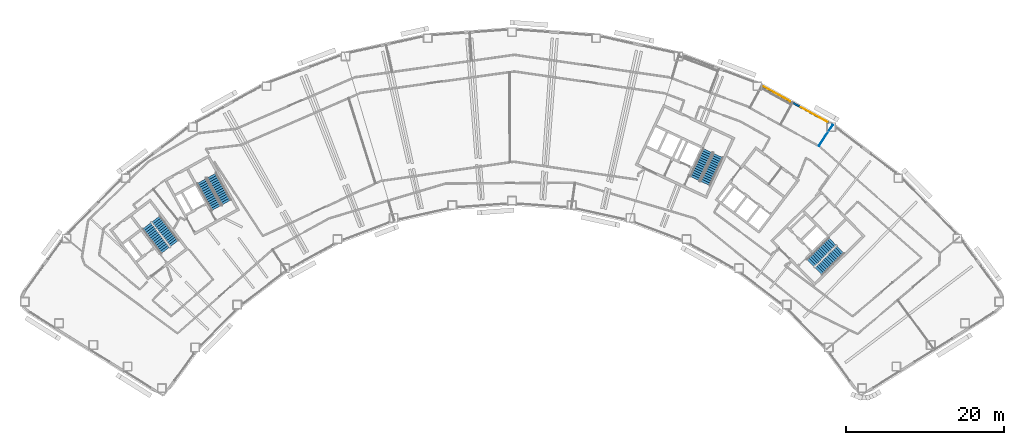
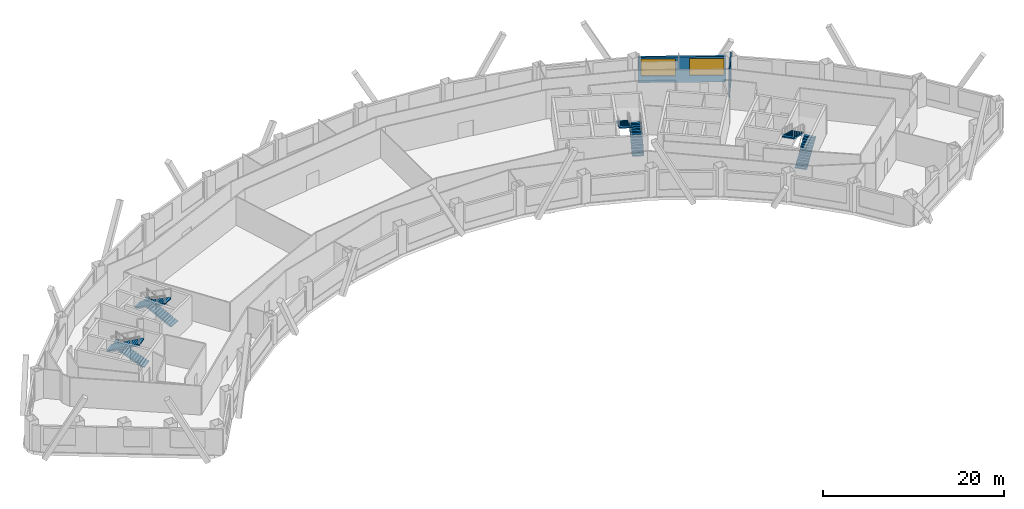
# One storey, part 9 of 11: 8 stair flights, 2 walls, 2 windows, 2 openings, 4 elements without a shape of their own.
"""IFC4 building model written with IfcOpenShell, lengths in metres."""

from ifc_helpers import new_model, si_unit, direction, frame, frame_2d, origin, place, context, subcontext, project, spatial, polyline, rectangle, outline, extrude, material, layer, layer_set, type_object, element, fill, aggregate, save


model = new_model("IFC4")

# Units and contexts
model_context = context("Model", 3, precision=1e-05, world=origin(), true_north=direction((0.0, 1.0)))
body_context = subcontext(model_context, "Body", "Model", "MODEL_VIEW")
ifc_project = project(units=[si_unit("LENGTHUNIT", "METRE"), si_unit("AREAUNIT", "SQUARE_METRE"), si_unit("VOLUMEUNIT", "CUBIC_METRE"), si_unit("PLANEANGLEUNIT", "RADIAN"), si_unit("MASSUNIT", "GRAM", prefix="KILO")], contexts=[model_context])

# Site, building, storey
site_placement = place(None, origin())
site = spatial("IfcSite", under=ifc_project, at=site_placement, CompositionType="ELEMENT")
building_placement = place(site_placement, origin())
building = spatial("IfcBuilding", under=site, at=building_placement, Name="Tuul Gate Civic Tower", CompositionType="ELEMENT")
storey_placement = place(building_placement, frame((0.0, 0.0, 99.300048828125)))
storey = spatial("IfcBuildingStorey", under=building, at=storey_placement, Name="Level 22", CompositionType="ELEMENT", Elevation=99.300048828125)

# Wall, openings, windows
ifc_material_1 = material(Name="Precast concrete C40/50", Category="concrete")
ifc_layer_1 = layer(ifc_material_1, 0.25)
ifc_layer_set_1 = layer_set([ifc_layer_1], Name="Precast concrete C40/50")
wall_type_1 = type_object("IfcWallType", Name="External wall", PredefinedType="STANDARD", material=ifc_layer_set_1)
wall_1_placement = place(storey_placement, frame((49.909912109375, 2.214111328125, 0.0), z_axis=(0.0, 0.0, 1.0), x_axis=(-0.874636658458, 0.484779037997, 0.0)))
wall_1 = element("IfcWall", 1, at=wall_1_placement, inside=storey, type_object=wall_type_1, Name="External wall", PredefinedType="STANDARD", context=body_context, shape_type="SweptSolid", body=[
    extrude(rectangle(XDim=9.696533203125, YDim=0.25, at=frame_2d((4.84814453125, 0.0))), origin(), (0.0, 0.0, 1.0), 3.449951171875),
])
opening_1_placement = place(wall_1_placement, frame((0.180419921875, 0.0, 0.89990234375)))
opening_1 = element("IfcOpeningElement", 2, at=opening_1_placement, cuts=wall_1, Name="Opening W22", PredefinedType="OPENING", context=body_context, shape_type="SweptSolid", body=[
    extrude(rectangle(XDim=3.85009765625, YDim=2.300048828125, at=frame_2d((1.925048828125, 1.14990234375))), frame((0.0, 0.135009765625, 0.0), z_axis=(0.0, -1.0, 0.0), x_axis=(1.0, 0.0, 0.0)), (0.0, 0.0, 1.0), 0.27001953125),
])
opening_2_placement = place(wall_1_placement, frame((5.5517578125, 0.0, 0.89990234375)))
opening_2 = element("IfcOpeningElement", 3, at=opening_2_placement, cuts=wall_1, Name="Opening W22", PredefinedType="OPENING", context=body_context, shape_type="SweptSolid", body=[
    extrude(rectangle(XDim=3.85009765625, YDim=2.300048828125, at=frame_2d((1.925048828125, 1.14990234375))), frame((0.0, 0.135009765625, 0.0), z_axis=(0.0, -1.0, 0.0), x_axis=(1.0, 0.0, 0.0)), (0.0, 0.0, 1.0), 0.27001953125),
])
ifc_material_2 = material(Name="Glass", Category="glass")
window_type = type_object("IfcWindowType", Name="Window W22 3850 x 2300", PartitioningType="SINGLE_PANEL", PredefinedType="WINDOW", material=ifc_material_2)
window_1_placement = place(opening_1_placement, origin())
window_1 = element("IfcWindow", 4, at=window_1_placement, inside=storey, type_object=window_type, Name="Window", OverallHeight=2.300048828125, OverallWidth=3.85009765625, PartitioningType="SINGLE_PANEL", PredefinedType="WINDOW", context=body_context, shape_type="SweptSolid", body=[
    extrude(rectangle(XDim=3.85009765625, YDim=2.300048828125, at=frame_2d((1.925048828125, 1.14990234375))), frame((0.0, 0.030029296875, 0.0), z_axis=(0.0, -1.0, 0.0), x_axis=(1.0, 0.0, 0.0)), (0.0, 0.0, 1.0), 0.06005859375),
])
fill(opening_1, window_1)
window_2_placement = place(opening_2_placement, origin())
window_2 = element("IfcWindow", 5, at=window_2_placement, inside=storey, type_object=window_type, Name="Window", OverallHeight=2.300048828125, OverallWidth=3.85009765625, PartitioningType="SINGLE_PANEL", PredefinedType="WINDOW", context=body_context, shape_type="SweptSolid", body=[
    extrude(rectangle(XDim=3.85009765625, YDim=2.300048828125, at=frame_2d((1.925048828125, 1.14990234375))), frame((0.0, 0.030029296875, 0.0), z_axis=(0.0, -1.0, 0.0), x_axis=(1.0, 0.0, 0.0)), (0.0, 0.0, 1.0), 0.06005859375),
])
fill(opening_2, window_2)

# Wall
ifc_material_3 = material(Name="Gypsum board partition")
ifc_layer_2 = layer(ifc_material_3, 0.10009765625)
ifc_layer_set_2 = layer_set([ifc_layer_2], Name="Gypsum board partition")
wall_type_2 = type_object("IfcWallType", Name="Partition P100", PredefinedType="PARTITIONING", material=ifc_layer_set_2)
wall_2_placement = place(storey_placement, frame((48.660888671875, -0.7412109375, 0.0), z_axis=(0.0, 0.0, 1.0), x_axis=(0.546725662332, 0.837311799838, 0.0)))
element("IfcWall", 6, at=wall_2_placement, inside=storey, type_object=wall_type_2, Name="p001", PredefinedType="PARTITIONING", context=body_context, shape_type="SweptSolid", body=[
    extrude(rectangle(XDim=3.20361328125, YDim=0.10009765625, at=frame_2d((1.601806640625, 0.0))), origin(), (0.0, 0.0, 1.0), 3.89990234375),
])

# Stair, stair flights
ifc_material_4 = material(Name="Concrete C40/50", Category="concrete")
stair_type = type_object("IfcStairType", Name="Exit stair", PredefinedType="HALF_TURN_STAIR", material=ifc_material_4)
stair_1_placement = place(storey_placement, origin())
stair_1 = element("IfcStair", 7, at=stair_1_placement, inside=storey, type_object=stair_type, Name="Level 22 ST-1", PredefinedType="HALF_TURN_STAIR")
ifc_material_5 = material(Name="Concrete C40/50", Category="concrete")
stair_flight_type = type_object("IfcStairFlightType", Name="Exit stair flight", PredefinedType="STRAIGHT", material=ifc_material_5)
stair_flight_1_placement = place(storey_placement, frame((-32.875244140625, -13.066650390625, 0.0), z_axis=(0.0, 0.0, 1.0), x_axis=(-0.605764474941, 0.795644016442, 0.0)))
stair_flight_1 = element("IfcStairFlight", 8, at=stair_flight_1_placement, type_object=stair_flight_type, Name="ST-1 flight 1", NumberOfRisers=14, NumberOfTreads=13, PredefinedType="STRAIGHT", RiserHeight=0.15, TreadLength=0.3, context=body_context, shape_type="SweptSolid", body=[
    extrude(outline(polyline([(0.0, 0.0), (0.0, 0.14990234375), (0.300048828125, 0.14990234375), (0.300048828125, 0.300048828125), (0.60009765625, 0.300048828125), (0.60009765625, 0.449951171875), (0.89990234375, 0.449951171875), (0.89990234375, 0.60009765625), (1.199951171875, 0.60009765625), (1.199951171875, 0.75), (1.5, 0.75), (1.5, 0.89990234375), (1.800048828125, 0.89990234375), (1.800048828125, 1.050048828125), (2.10009765625, 1.050048828125), (2.10009765625, 1.199951171875), (2.39990234375, 1.199951171875), (2.39990234375, 1.35009765625), (2.699951171875, 1.35009765625), (2.699951171875, 1.5), (3.0, 1.5), (3.0, 1.64990234375), (3.300048828125, 1.64990234375), (3.300048828125, 1.800048828125), (3.60009765625, 1.800048828125), (3.60009765625, 1.949951171875), (3.89990234375, 1.949951171875), (3.89990234375, 2.10009765625), (3.89990234375, 1.782470703125), (0.335205078125, 0.0), (0.0, 0.0)])), frame((0.0, 0.675048828125, 0.0), z_axis=(0.0, -1.0, 0.0), x_axis=(1.0, 0.0, 0.0)), (0.0, 0.0, 1.0), 1.35009765625),
])
stair_flight_2_placement = place(storey_placement, frame((-36.391357421875, -10.842041015625, 2.099853515625), z_axis=(0.0, 0.0, 1.0), x_axis=(0.605764474941, -0.795644016442, 0.0)))
stair_flight_2 = element("IfcStairFlight", 9, at=stair_flight_2_placement, type_object=stair_flight_type, Name="ST-1 flight 2", NumberOfRisers=14, NumberOfTreads=13, PredefinedType="STRAIGHT", RiserHeight=0.15, TreadLength=0.3, context=body_context, shape_type="SweptSolid", body=[
    extrude(outline(polyline([(0.0, 0.0), (0.0, 0.14990234375), (0.300048828125, 0.14990234375), (0.300048828125, 0.300048828125), (0.60009765625, 0.300048828125), (0.60009765625, 0.449951171875), (0.89990234375, 0.449951171875), (0.89990234375, 0.60009765625), (1.199951171875, 0.60009765625), (1.199951171875, 0.75), (1.5, 0.75), (1.5, 0.89990234375), (1.800048828125, 0.89990234375), (1.800048828125, 1.050048828125), (2.10009765625, 1.050048828125), (2.10009765625, 1.199951171875), (2.39990234375, 1.199951171875), (2.39990234375, 1.35009765625), (2.699951171875, 1.35009765625), (2.699951171875, 1.5), (3.0, 1.5), (3.0, 1.64990234375), (3.300048828125, 1.64990234375), (3.300048828125, 1.800048828125), (3.60009765625, 1.800048828125), (3.60009765625, 1.949951171875), (3.89990234375, 1.949951171875), (3.89990234375, 2.10009765625), (3.89990234375, 1.782470703125), (0.335205078125, 0.0), (0.0, 0.0)])), frame((0.0, 0.675048828125, 0.0), z_axis=(0.0, -1.0, 0.0), x_axis=(1.0, 0.0, 0.0)), (0.0, 0.0, 1.0), 1.35009765625),
])
aggregate(stair_1, [stair_flight_1, stair_flight_2])

stair_2_placement = place(storey_placement, origin())
stair_2 = element("IfcStair", 10, at=stair_2_placement, inside=storey, type_object=stair_type, Name="Level 22 ST-2", PredefinedType="HALF_TURN_STAIR")
stair_flight_3_placement = place(storey_placement, frame((-26.29150390625, -7.87646484375, 0.0), z_axis=(0.0, 0.0, 1.0), x_axis=(-0.484761763766, 0.874646232708, 0.0)))
stair_flight_3 = element("IfcStairFlight", 11, at=stair_flight_3_placement, type_object=stair_flight_type, Name="ST-2 flight 1", NumberOfRisers=14, NumberOfTreads=13, PredefinedType="STRAIGHT", RiserHeight=0.15, TreadLength=0.3, context=body_context, shape_type="SweptSolid", body=[
    extrude(outline(polyline([(0.0, 0.0), (0.0, 0.14990234375), (0.300048828125, 0.14990234375), (0.300048828125, 0.300048828125), (0.60009765625, 0.300048828125), (0.60009765625, 0.449951171875), (0.89990234375, 0.449951171875), (0.89990234375, 0.60009765625), (1.199951171875, 0.60009765625), (1.199951171875, 0.75), (1.5, 0.75), (1.5, 0.89990234375), (1.800048828125, 0.89990234375), (1.800048828125, 1.050048828125), (2.10009765625, 1.050048828125), (2.10009765625, 1.199951171875), (2.39990234375, 1.199951171875), (2.39990234375, 1.35009765625), (2.699951171875, 1.35009765625), (2.699951171875, 1.5), (3.0, 1.5), (3.0, 1.64990234375), (3.300048828125, 1.64990234375), (3.300048828125, 1.800048828125), (3.60009765625, 1.800048828125), (3.60009765625, 1.949951171875), (3.89990234375, 1.949951171875), (3.89990234375, 2.10009765625), (3.89990234375, 1.782470703125), (0.335205078125, 0.0), (0.0, 0.0)])), frame((0.0, 0.675048828125, 0.0), z_axis=(0.0, -1.0, 0.0), x_axis=(1.0, 0.0, 0.0)), (0.0, 0.0, 1.0), 1.35009765625),
])
stair_flight_4_placement = place(storey_placement, frame((-29.450439453125, -5.168212890625, 2.099853515625), z_axis=(0.0, 0.0, 1.0), x_axis=(0.484761763766, -0.874646232708, 0.0)))
stair_flight_4 = element("IfcStairFlight", 12, at=stair_flight_4_placement, type_object=stair_flight_type, Name="ST-2 flight 2", NumberOfRisers=14, NumberOfTreads=13, PredefinedType="STRAIGHT", RiserHeight=0.15, TreadLength=0.3, context=body_context, shape_type="SweptSolid", body=[
    extrude(outline(polyline([(0.0, 0.0), (0.0, 0.14990234375), (0.300048828125, 0.14990234375), (0.300048828125, 0.300048828125), (0.60009765625, 0.300048828125), (0.60009765625, 0.449951171875), (0.89990234375, 0.449951171875), (0.89990234375, 0.60009765625), (1.199951171875, 0.60009765625), (1.199951171875, 0.75), (1.5, 0.75), (1.5, 0.89990234375), (1.800048828125, 0.89990234375), (1.800048828125, 1.050048828125), (2.10009765625, 1.050048828125), (2.10009765625, 1.199951171875), (2.39990234375, 1.199951171875), (2.39990234375, 1.35009765625), (2.699951171875, 1.35009765625), (2.699951171875, 1.5), (3.0, 1.5), (3.0, 1.64990234375), (3.300048828125, 1.64990234375), (3.300048828125, 1.800048828125), (3.60009765625, 1.800048828125), (3.60009765625, 1.949951171875), (3.89990234375, 1.949951171875), (3.89990234375, 2.10009765625), (3.89990234375, 1.782470703125), (0.335205078125, 0.0), (0.0, 0.0)])), frame((0.0, 0.675048828125, 0.0), z_axis=(0.0, -1.0, 0.0), x_axis=(1.0, 0.0, 0.0)), (0.0, 0.0, 1.0), 1.35009765625),
])
aggregate(stair_2, [stair_flight_3, stair_flight_4])

stair_3_placement = place(storey_placement, origin())
stair_3 = element("IfcStair", 13, at=stair_3_placement, inside=storey, type_object=stair_type, Name="Level 22 ST-3", PredefinedType="HALF_TURN_STAIR")
stair_flight_5_placement = place(storey_placement, frame((48.61376953125, -16.581787109375, 0.0), z_axis=(0.0, 0.0, 1.0), x_axis=(0.714127290059, 0.700015866672, 0.0)))
stair_flight_5 = element("IfcStairFlight", 14, at=stair_flight_5_placement, type_object=stair_flight_type, Name="ST-3 flight 1", NumberOfRisers=14, NumberOfTreads=13, PredefinedType="STRAIGHT", RiserHeight=0.15, TreadLength=0.3, context=body_context, shape_type="SweptSolid", body=[
    extrude(outline(polyline([(0.0, 0.0), (0.0, 0.14990234375), (0.300048828125, 0.14990234375), (0.300048828125, 0.300048828125), (0.60009765625, 0.300048828125), (0.60009765625, 0.449951171875), (0.89990234375, 0.449951171875), (0.89990234375, 0.60009765625), (1.199951171875, 0.60009765625), (1.199951171875, 0.75), (1.5, 0.75), (1.5, 0.89990234375), (1.800048828125, 0.89990234375), (1.800048828125, 1.050048828125), (2.10009765625, 1.050048828125), (2.10009765625, 1.199951171875), (2.39990234375, 1.199951171875), (2.39990234375, 1.35009765625), (2.699951171875, 1.35009765625), (2.699951171875, 1.5), (3.0, 1.5), (3.0, 1.64990234375), (3.300048828125, 1.64990234375), (3.300048828125, 1.800048828125), (3.60009765625, 1.800048828125), (3.60009765625, 1.949951171875), (3.89990234375, 1.949951171875), (3.89990234375, 2.10009765625), (3.89990234375, 1.782470703125), (0.335205078125, 0.0), (0.0, 0.0)])), frame((0.0, 0.675048828125, 0.0), z_axis=(0.0, -1.0, 0.0), x_axis=(1.0, 0.0, 0.0)), (0.0, 0.0, 1.0), 1.35009765625),
])
stair_flight_6_placement = place(storey_placement, frame((50.3837890625, -12.816162109375, 2.099853515625), z_axis=(0.0, 0.0, 1.0), x_axis=(-0.714127290059, -0.700015866672, 0.0)))
stair_flight_6 = element("IfcStairFlight", 15, at=stair_flight_6_placement, type_object=stair_flight_type, Name="ST-3 flight 2", NumberOfRisers=14, NumberOfTreads=13, PredefinedType="STRAIGHT", RiserHeight=0.15, TreadLength=0.3, context=body_context, shape_type="SweptSolid", body=[
    extrude(outline(polyline([(0.0, 0.0), (0.0, 0.14990234375), (0.300048828125, 0.14990234375), (0.300048828125, 0.300048828125), (0.60009765625, 0.300048828125), (0.60009765625, 0.449951171875), (0.89990234375, 0.449951171875), (0.89990234375, 0.60009765625), (1.199951171875, 0.60009765625), (1.199951171875, 0.75), (1.5, 0.75), (1.5, 0.89990234375), (1.800048828125, 0.89990234375), (1.800048828125, 1.050048828125), (2.10009765625, 1.050048828125), (2.10009765625, 1.199951171875), (2.39990234375, 1.199951171875), (2.39990234375, 1.35009765625), (2.699951171875, 1.35009765625), (2.699951171875, 1.5), (3.0, 1.5), (3.0, 1.64990234375), (3.300048828125, 1.64990234375), (3.300048828125, 1.800048828125), (3.60009765625, 1.800048828125), (3.60009765625, 1.949951171875), (3.89990234375, 1.949951171875), (3.89990234375, 2.10009765625), (3.89990234375, 1.782470703125), (0.335205078125, 0.0), (0.0, 0.0)])), frame((0.0, 0.675048828125, 0.0), z_axis=(0.0, -1.0, 0.0), x_axis=(1.0, 0.0, 0.0)), (0.0, 0.0, 1.0), 1.35009765625),
])
aggregate(stair_3, [stair_flight_5, stair_flight_6])

stair_4_placement = place(storey_placement, origin())
stair_4 = element("IfcStair", 16, at=stair_4_placement, inside=storey, type_object=stair_type, Name="Level 22 ST-4", PredefinedType="HALF_TURN_STAIR")
stair_flight_7_placement = place(storey_placement, frame((34.278564453125, -5.478515625, 0.0), z_axis=(0.0, 0.0, 1.0), x_axis=(0.422576295988, 0.906327354806, 0.0)))
stair_flight_7 = element("IfcStairFlight", 17, at=stair_flight_7_placement, type_object=stair_flight_type, Name="ST-4 flight 1", NumberOfRisers=14, NumberOfTreads=13, PredefinedType="STRAIGHT", RiserHeight=0.15, TreadLength=0.3, context=body_context, shape_type="SweptSolid", body=[
    extrude(outline(polyline([(0.0, 0.0), (0.0, 0.14990234375), (0.300048828125, 0.14990234375), (0.300048828125, 0.300048828125), (0.60009765625, 0.300048828125), (0.60009765625, 0.449951171875), (0.89990234375, 0.449951171875), (0.89990234375, 0.60009765625), (1.199951171875, 0.60009765625), (1.199951171875, 0.75), (1.5, 0.75), (1.5, 0.89990234375), (1.800048828125, 0.89990234375), (1.800048828125, 1.050048828125), (2.10009765625, 1.050048828125), (2.10009765625, 1.199951171875), (2.39990234375, 1.199951171875), (2.39990234375, 1.35009765625), (2.699951171875, 1.35009765625), (2.699951171875, 1.5), (3.0, 1.5), (3.0, 1.64990234375), (3.300048828125, 1.64990234375), (3.300048828125, 1.800048828125), (3.60009765625, 1.800048828125), (3.60009765625, 1.949951171875), (3.89990234375, 1.949951171875), (3.89990234375, 2.10009765625), (3.89990234375, 1.782470703125), (0.335205078125, 0.0), (0.0, 0.0)])), frame((0.0, 0.675048828125, 0.0), z_axis=(0.0, -1.0, 0.0), x_axis=(1.0, 0.0, 0.0)), (0.0, 0.0, 1.0), 1.35009765625),
])
stair_flight_8_placement = place(storey_placement, frame((34.612548828125, -1.3310546875, 2.099853515625), z_axis=(0.0, 0.0, 1.0), x_axis=(-0.422576295988, -0.906327354806, 0.0)))
stair_flight_8 = element("IfcStairFlight", 18, at=stair_flight_8_placement, type_object=stair_flight_type, Name="ST-4 flight 2", NumberOfRisers=14, NumberOfTreads=13, PredefinedType="STRAIGHT", RiserHeight=0.15, TreadLength=0.3, context=body_context, shape_type="SweptSolid", body=[
    extrude(outline(polyline([(0.0, 0.0), (0.0, 0.14990234375), (0.300048828125, 0.14990234375), (0.300048828125, 0.300048828125), (0.60009765625, 0.300048828125), (0.60009765625, 0.449951171875), (0.89990234375, 0.449951171875), (0.89990234375, 0.60009765625), (1.199951171875, 0.60009765625), (1.199951171875, 0.75), (1.5, 0.75), (1.5, 0.89990234375), (1.800048828125, 0.89990234375), (1.800048828125, 1.050048828125), (2.10009765625, 1.050048828125), (2.10009765625, 1.199951171875), (2.39990234375, 1.199951171875), (2.39990234375, 1.35009765625), (2.699951171875, 1.35009765625), (2.699951171875, 1.5), (3.0, 1.5), (3.0, 1.64990234375), (3.300048828125, 1.64990234375), (3.300048828125, 1.800048828125), (3.60009765625, 1.800048828125), (3.60009765625, 1.949951171875), (3.89990234375, 1.949951171875), (3.89990234375, 2.10009765625), (3.89990234375, 1.782470703125), (0.335205078125, 0.0), (0.0, 0.0)])), frame((0.0, 0.675048828125, 0.0), z_axis=(0.0, -1.0, 0.0), x_axis=(1.0, 0.0, 0.0)), (0.0, 0.0, 1.0), 1.35009765625),
])
aggregate(stair_4, [stair_flight_7, stair_flight_8])

save(model, "model.ifc")
